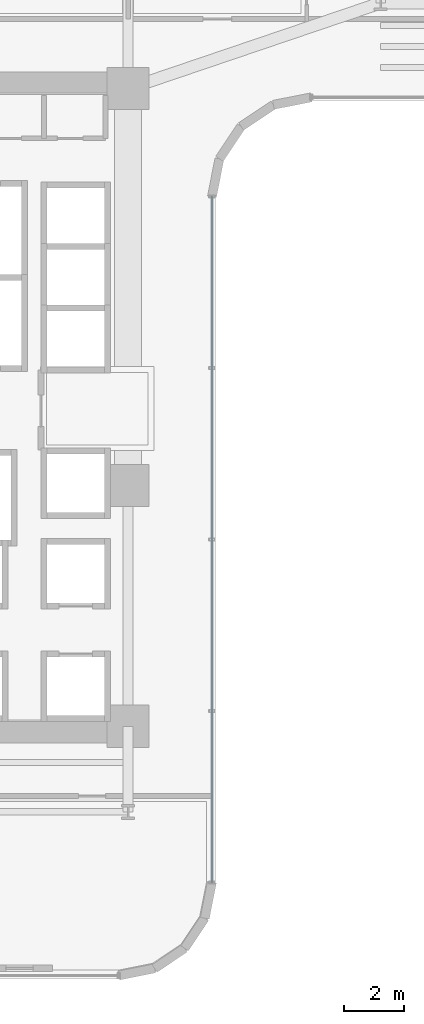
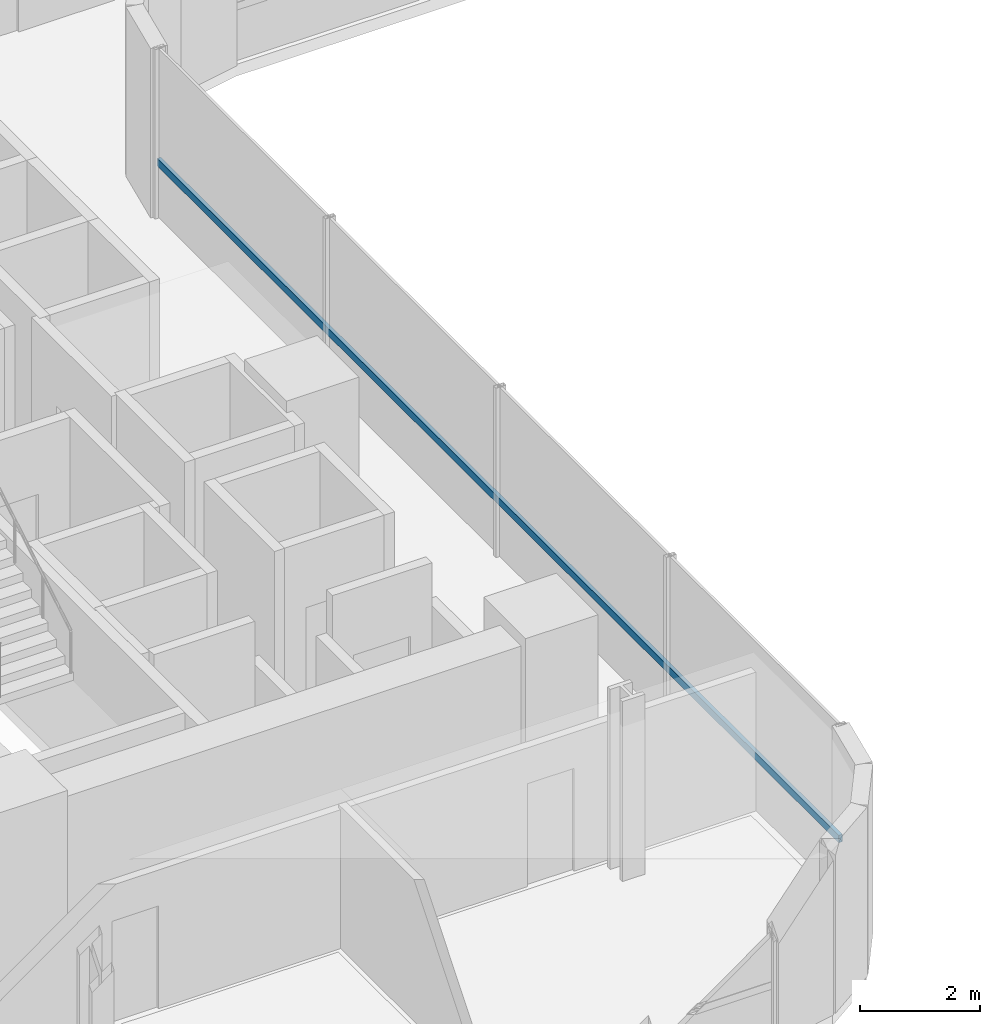
# One storey, part 7 of 41: 1 member, 1 element without a shape of its own.
"""IFC4 building model written with IfcOpenShell, lengths in metres."""

from ifc_helpers import new_model, si_unit, direction, frame, origin, origin_2d, place, context, subcontext, project, spatial, hollow_rectangle, extrude, source, transform, mapped, material, material_profile, profile_set, type_object, element, aggregate, save


model = new_model("IFC4")

# Units and contexts
model_context = context("Model", 3, precision=1e-05, world=origin(), true_north=direction((0.0, 1.0)))
body_context = subcontext(model_context, "Body", "Model", "MODEL_VIEW")
ifc_project = project(units=[si_unit("LENGTHUNIT", "METRE"), si_unit("AREAUNIT", "SQUARE_METRE"), si_unit("VOLUMEUNIT", "CUBIC_METRE"), si_unit("PLANEANGLEUNIT", "RADIAN"), si_unit("MASSUNIT", "GRAM", prefix="KILO")], contexts=[model_context])

# Site, building, storey
site_placement = place(None, origin())
site = spatial("IfcSite", under=ifc_project, at=site_placement, CompositionType="ELEMENT")
building_placement = place(site_placement, origin())
building = spatial("IfcBuilding", under=site, at=building_placement, Name="Valdorenza Pilgrim Sanctuary Tower", CompositionType="ELEMENT")
storey_placement = place(building_placement, frame((0.0, 0.0, 85.199951171875)))
storey = spatial("IfcBuildingStorey", under=building, at=storey_placement, Name="L21", CompositionType="ELEMENT", Elevation=85.199951171875)

# Curtain wall, member
ifc_material_1 = material(Name="Curtain-wall IGU glazing", Category="glass")
curtain_wall_type = type_object("IfcCurtainWallType", Name="CW-SYS-02", PredefinedType="NOTDEFINED", material=ifc_material_1)
curtain_wall_placement = place(storey_placement, origin())
curtain_wall = element("IfcCurtainWall", 1, at=curtain_wall_placement, inside=storey, type_object=curtain_wall_type, Name="L21 Curtain Wall CW-L21-1-41", PredefinedType="NOTDEFINED")
ifc_material_2 = material(Name="Anodised aluminium AW-6060", Category="aluminium")
ifc_material_profile = material_profile(ifc_material_2, hollow_rectangle(XDim=0.074951171875, YDim=0.14990234375, WallThickness=0.00390625, at=origin_2d()), Name="ALU-T 150x75x4")
ifc_profile_set = profile_set([ifc_material_profile], Name="Anodised aluminium AW-6060")
member_type = type_object("IfcMemberType", Name="CW-TRN-02", PredefinedType="USERDEFINED", material=ifc_profile_set)
shared_shape = source(origin(), body_context, "Body", "SweptSolid", [
    extrude(hollow_rectangle(XDim=0.074951171875, YDim=0.14990234375, WallThickness=0.00390625, at=origin_2d()), origin(), (0.0, 0.0, 1.0), 22.800048828125),
])
member_placement = place(storey_placement, frame((-9.610107421875, 7.0107421875, 1.1201171875), z_axis=(0.0, -1.0, 0.0), x_axis=(1.0, 0.0, 0.0)))
member = element("IfcMember", 2, at=member_placement, type_object=member_type, Name="CW-L21-1-41 Transom 1", ObjectType="TRANSOM", PredefinedType="USERDEFINED", context=body_context, shape_type="MappedRepresentation", body=[
    mapped(shared_shape, transform((0.0, 0.0, 0.0), x_axis=(1.0, 0.0, 0.0), y_axis=(0.0, 1.0, 0.0), z_axis=(0.0, 0.0, 1.0), scale=1.0)),
])
aggregate(curtain_wall, [member])

save(model, "model.ifc")
